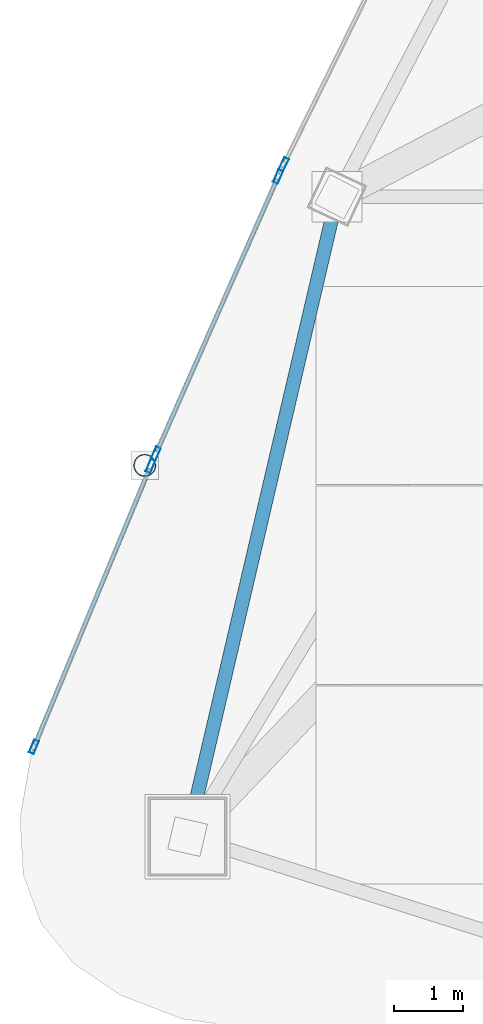
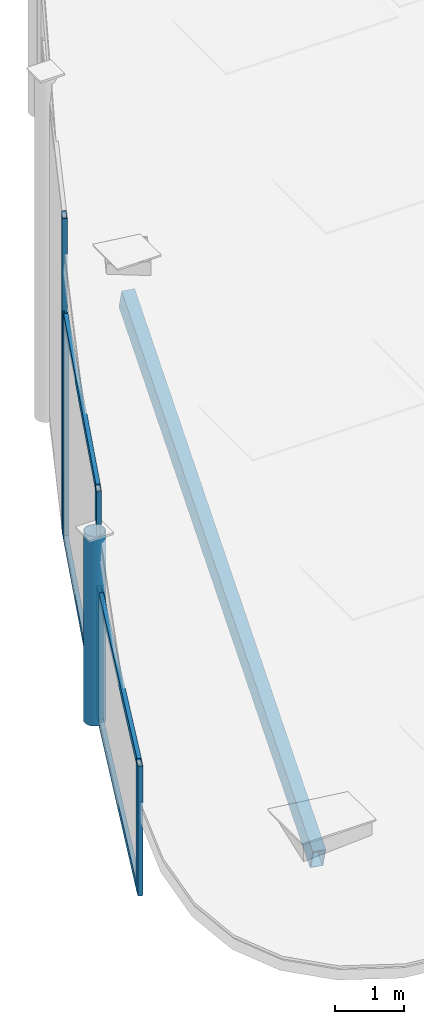
# One storey, part 2 of 21: 11 members, 3 elements without a shape of their own.
"""IFC4 building model written with IfcOpenShell, lengths in metres."""

from ifc_helpers import new_model, si_unit, direction, frame, origin, origin_2d, place, context, subcontext, project, spatial, hollow_rectangle, hollow_circle, extrude, material, layer, layer_set, material_profile, profile_set, type_object, element, aggregate, save


model = new_model("IFC4")

# Units and contexts
model_context = context("Model", 3, precision=1e-05, world=origin(), true_north=direction((0.0, 1.0)))
body_context = subcontext(model_context, "Body", "Model", "MODEL_VIEW")
ifc_project = project(units=[si_unit("LENGTHUNIT", "METRE"), si_unit("AREAUNIT", "SQUARE_METRE"), si_unit("VOLUMEUNIT", "CUBIC_METRE"), si_unit("PLANEANGLEUNIT", "RADIAN"), si_unit("MASSUNIT", "GRAM", prefix="KILO")], contexts=[model_context])

# Site, building, storey
site_placement = place(None, origin())
site = spatial("IfcSite", under=ifc_project, at=site_placement, CompositionType="ELEMENT")
building_placement = place(site_placement, origin())
building = spatial("IfcBuilding", under=site, at=building_placement, Name="Orvanel Arch Residences", CompositionType="ELEMENT")
storey_placement = place(building_placement, frame((0.0, 0.0, 314.89990234375)))
storey = spatial("IfcBuildingStorey", under=building, at=storey_placement, Name="RF", CompositionType="ELEMENT", Elevation=314.89990234375)

# Curtain wall, member
ifc_material_1 = material(Name="Bronze-anodised aluminium AA6063-T6", Category="aluminium")
ifc_layer = layer(ifc_material_1, 0.2099609375)
ifc_layer_set = layer_set([ifc_layer], Name="Bronze-anodised aluminium AA6063-T6")
curtain_wall_type = type_object("IfcCurtainWallType", Name="CW7-TOP-SYS", PredefinedType="NOTDEFINED", material=ifc_layer_set)
curtain_wall_1_placement = place(storey_placement, origin())
curtain_wall_1 = element("IfcCurtainWall", 1, at=curtain_wall_1_placement, inside=storey, type_object=curtain_wall_type, Name="RF CW7-TOP-SYS Unitised Curtain Wall", PredefinedType="NOTDEFINED")
ifc_material_profile_1 = material_profile(ifc_material_1, hollow_rectangle(XDim=0.074951171875, YDim=0.199951171875, WallThickness=0.0048828125, at=origin_2d()), Name="ALU200x75x5")
ifc_profile_set_1 = profile_set([ifc_material_profile_1], Name="Bronze-anodised aluminium AA6063-T6")
member_type_1 = type_object("IfcMemberType", Name="MUL-200x75", PredefinedType="MULLION", material=ifc_profile_set_1)
member_1_placement = place(storey_placement, frame((15.594482421875, 20.109619140625, 0.0), z_axis=(0.0, 0.0, 1.0), x_axis=(0.897504434284, -0.441005431305, 0.0)))
member_1 = element("IfcMember", 2, at=member_1_placement, type_object=member_type_1, Name="CW-S7 mullion 2", PredefinedType="MULLION", context=body_context, shape_type="SweptSolid", body=[
    extrude(hollow_rectangle(XDim=0.074951171875, YDim=0.199951171875, WallThickness=0.0048828125, at=origin_2d()), origin(), (0.0, 0.0, 1.0), 5.5751953125),
])
aggregate(curtain_wall_1, [member_1])

# Curtain wall, members
curtain_wall_2_placement = place(storey_placement, origin())
curtain_wall_2 = element("IfcCurtainWall", 3, at=curtain_wall_2_placement, inside=storey, type_object=curtain_wall_type, Name="RF CW7-TOP-SYS Unitised Curtain Wall", PredefinedType="NOTDEFINED")
member_2_placement = place(storey_placement, frame((15.512939453125, 19.9326171875, 0.0), z_axis=(0.0, 0.0, 1.0), x_axis=(0.914859510955, -0.403772306151, 0.0)))
member_2 = element("IfcMember", 4, at=member_2_placement, type_object=member_type_1, Name="CW-S7 mullion 1", PredefinedType="MULLION", context=body_context, shape_type="SweptSolid", body=[
    extrude(hollow_rectangle(XDim=0.074951171875, YDim=0.199951171875, WallThickness=0.0048828125, at=origin_2d()), origin(), (0.0, 0.0, 1.0), 3.943115234375),
])
member_3_placement = place(storey_placement, frame((13.737060546875, 15.909423828125, 0.0), z_axis=(0.0, 0.0, 1.0), x_axis=(0.914859510955, -0.403772306151, 0.0)))
member_3 = element("IfcMember", 5, at=member_3_placement, type_object=member_type_1, Name="CW-S7 mullion 2", PredefinedType="MULLION", context=body_context, shape_type="SweptSolid", body=[
    extrude(hollow_rectangle(XDim=0.074951171875, YDim=0.199951171875, WallThickness=0.0048828125, at=origin_2d()), origin(), (0.0, 0.0, 1.0), 3.943115234375),
])

curtain_wall_3_placement = place(storey_placement, origin())
curtain_wall_3 = element("IfcCurtainWall", 6, at=curtain_wall_3_placement, inside=storey, type_object=curtain_wall_type, Name="RF CW7-TOP-SYS Unitised Curtain Wall", PredefinedType="NOTDEFINED")
member_4_placement = place(storey_placement, frame((13.66064453125, 15.73046875, 0.0), z_axis=(0.0, 0.0, 1.0), x_axis=(0.923636318254, -0.38327007658, 0.0)))
member_4 = element("IfcMember", 7, at=member_4_placement, type_object=member_type_1, Name="CW-S7 mullion 1", PredefinedType="MULLION", context=body_context, shape_type="SweptSolid", body=[
    extrude(hollow_rectangle(XDim=0.074951171875, YDim=0.199951171875, WallThickness=0.0048828125, at=origin_2d()), origin(), (0.0, 0.0, 1.0), 2.291015625),
])
member_5_placement = place(storey_placement, frame((11.969482421875, 11.654541015625, 0.0), z_axis=(0.0, 0.0, 1.0), x_axis=(0.923636318254, -0.38327007658, 0.0)))
member_5 = element("IfcMember", 8, at=member_5_placement, type_object=member_type_1, Name="CW-S7 mullion 2", PredefinedType="MULLION", context=body_context, shape_type="SweptSolid", body=[
    extrude(hollow_rectangle(XDim=0.074951171875, YDim=0.199951171875, WallThickness=0.0048828125, at=origin_2d()), origin(), (0.0, 0.0, 1.0), 2.291015625),
])

# Members
ifc_material_2 = material(Name="Structural steel AS/NZS 1163 C350L0 (Grade 350)", Category="steel")
ifc_material_profile_2 = material_profile(ifc_material_2, hollow_rectangle(XDim=0.199951171875, YDim=0.39990234375, WallThickness=0.012451171875, at=origin_2d()), Name="RHS400x200x12.5")
ifc_profile_set_2 = profile_set([ifc_material_profile_2], Name="Structural steel AS/NZS 1163 C350L0 (Grade 350)")
member_type_2 = type_object("IfcMemberType", Name="RF-400RHS-EXT", PredefinedType="RAFTER", material=ifc_profile_set_2)
member_6_placement = place(storey_placement, frame((16.366943359375, 19.64208984375, 4.1162109375), z_axis=(-0.213181619553, -0.913608075869, -0.346228076261), x_axis=(0.973839699688, -0.227236087167, 0.0)))
element("IfcMember", 9, at=member_6_placement, inside=storey, type_object=member_type_2, Name="RF Slanted Crown Outer Rim Rafter 02", PredefinedType="RAFTER", context=body_context, shape_type="SweptSolid", body=[
    extrude(hollow_rectangle(XDim=0.199951171875, YDim=0.39990234375, WallThickness=0.012451171875, at=origin_2d()), origin(), (0.0, 0.0, 1.0), 10.169677734375),
])
ifc_material_profile_3 = material_profile(ifc_material_2, hollow_circle(Radius=0.162109375, WallThickness=0.0126953125, at=origin_2d()), Name="CHS324x12.7")
ifc_profile_set_3 = profile_set([ifc_material_profile_3], Name="Structural steel AS/NZS 1163 C350L0 (Grade 350)")
member_type_3 = type_object("IfcMemberType", Name="ST-324CHS-EXT", PredefinedType="STRUT", material=ifc_profile_set_3)
member_7_placement = place(storey_placement, frame((13.577880859375, 15.740966796875, 0.0), z_axis=(0.0, 0.0, 1.0), x_axis=(1.0, 0.0, 0.0)))
element("IfcMember", 10, at=member_7_placement, inside=storey, type_object=member_type_3, Name="RF Crown Outer Perimeter Frame Post 04", PredefinedType="STRUT", context=body_context, shape_type="SweptSolid", body=[
    extrude(hollow_circle(Radius=0.162109375, WallThickness=0.0126953125, at=origin_2d()), origin(), (0.0, 0.0, 1.0), 3.34521484375),
])

# Member
ifc_material_profile_4 = material_profile(ifc_material_1, hollow_rectangle(XDim=0.06494140625, YDim=0.14990234375, WallThickness=0.00390625, at=origin_2d()), Name="ALU150x65x4")
ifc_profile_set_4 = profile_set([ifc_material_profile_4], Name="Bronze-anodised aluminium AA6063-T6")
member_type_4 = type_object("IfcMemberType", Name="TRN-150x65", PredefinedType="USERDEFINED", material=ifc_profile_set_4)
member_8_placement = place(storey_placement, frame((15.497802734375, 19.8984375, 0.03271484375), z_axis=(-0.403800098569, -0.914847244296, 0.0), x_axis=(0.914847244296, -0.403800098569, 0.0)))
member_8 = element("IfcMember", 11, at=member_8_placement, type_object=member_type_4, Name="CW-S7 transom 1.1", ObjectType="TRANSOM", PredefinedType="USERDEFINED", context=body_context, shape_type="SweptSolid", body=[
    extrude(hollow_rectangle(XDim=0.06494140625, YDim=0.14990234375, WallThickness=0.00390625, at=origin_2d()), origin(), (0.0, 0.0, 1.0), 4.322998046875),
])

member_9_placement = place(storey_placement, frame((15.497802734375, 19.8984375, 3.91064453125), z_axis=(-0.403800098569, -0.914847244296, 0.0), x_axis=(0.914847244296, -0.403800098569, 0.0)))
member_9 = element("IfcMember", 12, at=member_9_placement, type_object=member_type_4, Name="CW-S7 transom 1.2", ObjectType="TRANSOM", PredefinedType="USERDEFINED", context=body_context, shape_type="SweptSolid", body=[
    extrude(hollow_rectangle(XDim=0.06494140625, YDim=0.14990234375, WallThickness=0.00390625, at=origin_2d()), origin(), (0.0, 0.0, 1.0), 4.322998046875),
])

aggregate(curtain_wall_2, [member_2, member_3, member_8, member_9])

member_10_placement = place(storey_placement, frame((13.646240234375, 15.69580078125, 0.03271484375), z_axis=(-0.383276215855, -0.92363377069, 0.0), x_axis=(0.92363377069, -0.383276215855, 0.0)))
member_10 = element("IfcMember", 13, at=member_10_placement, type_object=member_type_4, Name="CW-S7 transom 1.1", ObjectType="TRANSOM", PredefinedType="USERDEFINED", context=body_context, shape_type="SweptSolid", body=[
    extrude(hollow_rectangle(XDim=0.06494140625, YDim=0.14990234375, WallThickness=0.00390625, at=origin_2d()), origin(), (0.0, 0.0, 1.0), 4.337890625),
])

member_11_placement = place(storey_placement, frame((13.646240234375, 15.69580078125, 2.258544921875), z_axis=(-0.383276215855, -0.92363377069, 0.0), x_axis=(0.92363377069, -0.383276215855, 0.0)))
member_11 = element("IfcMember", 14, at=member_11_placement, type_object=member_type_4, Name="CW-S7 transom 1.2", ObjectType="TRANSOM", PredefinedType="USERDEFINED", context=body_context, shape_type="SweptSolid", body=[
    extrude(hollow_rectangle(XDim=0.06494140625, YDim=0.14990234375, WallThickness=0.00390625, at=origin_2d()), origin(), (0.0, 0.0, 1.0), 4.337890625),
])

aggregate(curtain_wall_3, [member_4, member_5, member_10, member_11])

save(model, "model.ifc")
